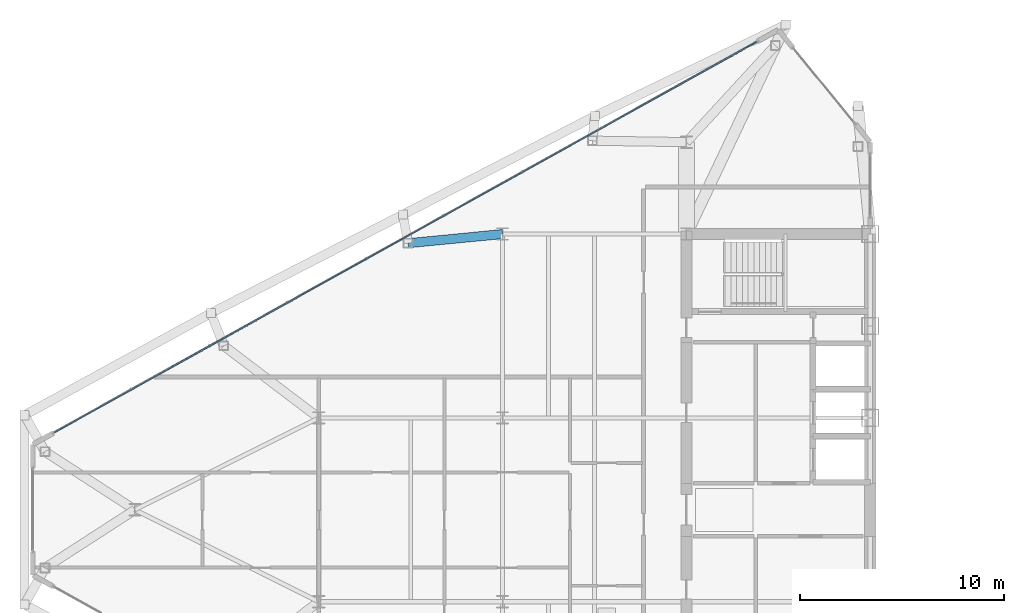
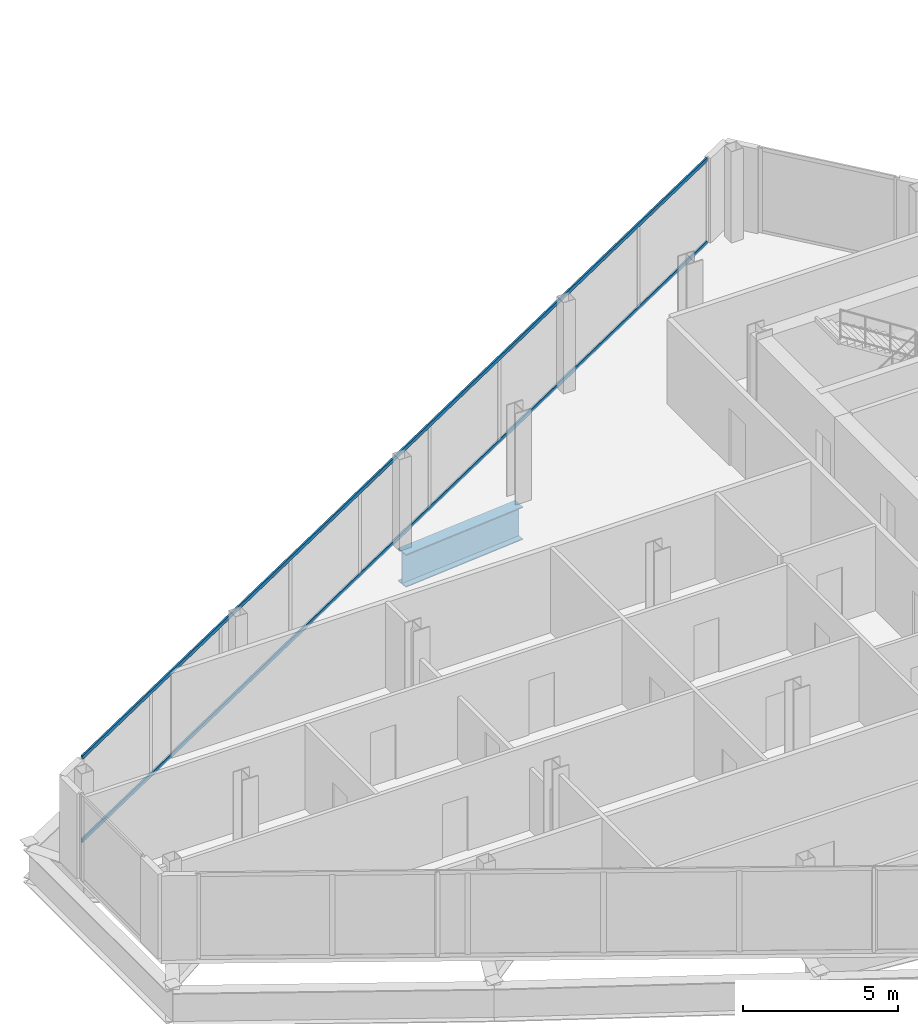
# One storey, part 9 of 28: 2 members, 1 beam, 1 element without a shape of its own.
"""IFC4 building model written with IfcOpenShell, lengths in metres."""

from ifc_helpers import new_model, si_unit, direction, frame, origin, origin_2d, place, context, subcontext, project, spatial, rectangle, i_section, extrude, source, transform, mapped, material, layer, layer_set, material_profile, profile_set, type_object, type_shapes, element, aggregate, save


model = new_model("IFC4")

# Units and contexts
model_context = context("Model", 3, precision=1e-05, world=origin(), true_north=direction((0.0, 1.0)))
body_context = subcontext(model_context, "Body", "Model", "MODEL_VIEW")
ifc_project = project(units=[si_unit("LENGTHUNIT", "METRE"), si_unit("AREAUNIT", "SQUARE_METRE"), si_unit("VOLUMEUNIT", "CUBIC_METRE"), si_unit("PLANEANGLEUNIT", "RADIAN"), si_unit("MASSUNIT", "GRAM", prefix="KILO")], contexts=[model_context])

# Site, building, storey
site_placement = place(None, origin())
site = spatial("IfcSite", under=ifc_project, at=site_placement, CompositionType="ELEMENT")
building_placement = place(site_placement, origin())
building = spatial("IfcBuilding", under=site, at=building_placement, Name="Seokmaru Belvedere", CompositionType="ELEMENT")
storey_placement = place(building_placement, frame((0.0, 0.0, 158.39990234375)))
storey = spatial("IfcBuildingStorey", under=building, at=storey_placement, Name="L42", CompositionType="ELEMENT", Elevation=158.39990234375)

# Beam
ifc_material_1 = material(Name="Steel HSA650 (650 MPa)", Category="steel")
ifc_material_profile_1 = material_profile(ifc_material_1, i_section(OverallWidth=0.449951171875, OverallDepth=1.300048828125, WebThickness=0.02197265625, FlangeThickness=0.0380859375, at=origin_2d()), Name="BH-1300x450x22x38")
ifc_profile_set_1 = profile_set([ifc_material_profile_1], Name="Steel HSA650 (650 MPa)")
beam_type = type_object("IfcBeamType", Name="Observatory Long-Span Roof Girder BH-1300", PredefinedType="BEAM", material=ifc_profile_set_1)
shared_shape_1 = source(origin(), body_context, "Body", "SweptSolid", [
    extrude(i_section(OverallWidth=0.449951171875, OverallDepth=1.300048828125, WebThickness=0.02197265625, FlangeThickness=0.0380859375, at=origin_2d()), origin(), (0.0, 0.0, 1.0), 4.65087890625),
])
type_shapes(beam_type, [shared_shape_1])
beam_placement = place(storey_placement, frame((-50.129150390625, 13.051025390625, -0.869873046875), z_axis=(0.995329534874, 0.09653557379, 0.0), x_axis=(-0.09653557379, 0.995329534874, 0.0)))
element("IfcBeam", 1, at=beam_placement, inside=storey, type_object=beam_type, Name="L42 W Flank Setback Back-Span Girder N-2", PredefinedType="BEAM", context=body_context, shape_type="MappedRepresentation", body=[
    mapped(shared_shape_1, transform((0.0, 0.0, 0.0), scale=1.0)),
])

# Curtain wall, members
ifc_material_2 = material(Name="Bronze Triple Insulating Glass", Category="glass")
ifc_layer = layer(ifc_material_2, 0.179931640625)
ifc_layer_set = layer_set([ifc_layer], Name="Bronze Triple Insulating Glass")
curtain_wall_type = type_object("IfcCurtainWallType", Name="High-Rise Wind-Corner Curtain Wall System CW-5", PredefinedType="NOTDEFINED", material=ifc_layer_set)
curtain_wall_placement = place(storey_placement, origin())
curtain_wall = element("IfcCurtainWall", 2, at=curtain_wall_placement, inside=storey, type_object=curtain_wall_type, Name="L42 Curtain Wall WF3", PredefinedType="NOTDEFINED")
ifc_material_3 = material(Name="Anodised Bronze Aluminium", Category="aluminium")
ifc_material_profile_2 = material_profile(ifc_material_3, rectangle(XDim=0.06494140625, YDim=0.14990234375, at=origin_2d()), Name="CW-T-65x150")
ifc_profile_set_2 = profile_set([ifc_material_profile_2], Name="Anodised Bronze Aluminium")
member_type = type_object("IfcMemberType", Name="Bronze Unitised Transom 65x150", PredefinedType="USERDEFINED", material=ifc_profile_set_2)
shared_shape_2 = source(origin(), body_context, "Body", "SweptSolid", [
    extrude(rectangle(XDim=0.06494140625, YDim=0.14990234375, at=origin_2d()), origin(), (0.0, 0.0, 1.0), 39.33544921875),
])
type_shapes(member_type, [shared_shape_2])
member_1_placement = place(storey_placement, frame((-33.061767578125, 22.909423828125, 0.03271484375), z_axis=(-0.873932045133, -0.486048125693, 0.0), x_axis=(0.486048125693, -0.873932045133, 0.0)))
member_1 = element("IfcMember", 3, at=member_1_placement, type_object=member_type, Name="CW:L42:WF3 Continuous Transom 1", ObjectType="TRANSOM", PredefinedType="USERDEFINED", context=body_context, shape_type="MappedRepresentation", body=[
    mapped(shared_shape_2, transform((0.0, 0.0, 0.0), scale=1.0)),
])
member_2_placement = place(storey_placement, frame((-33.061767578125, 22.909423828125, 3.3076171875), z_axis=(-0.873932045133, -0.486048125693, 0.0), x_axis=(0.486048125693, -0.873932045133, 0.0)))
member_2 = element("IfcMember", 4, at=member_2_placement, type_object=member_type, Name="CW:L42:WF3 Continuous Transom 2", ObjectType="TRANSOM", PredefinedType="USERDEFINED", context=body_context, shape_type="MappedRepresentation", body=[
    mapped(shared_shape_2, transform((0.0, 0.0, 0.0), scale=1.0)),
])
aggregate(curtain_wall, [member_1, member_2])

save(model, "model.ifc")
